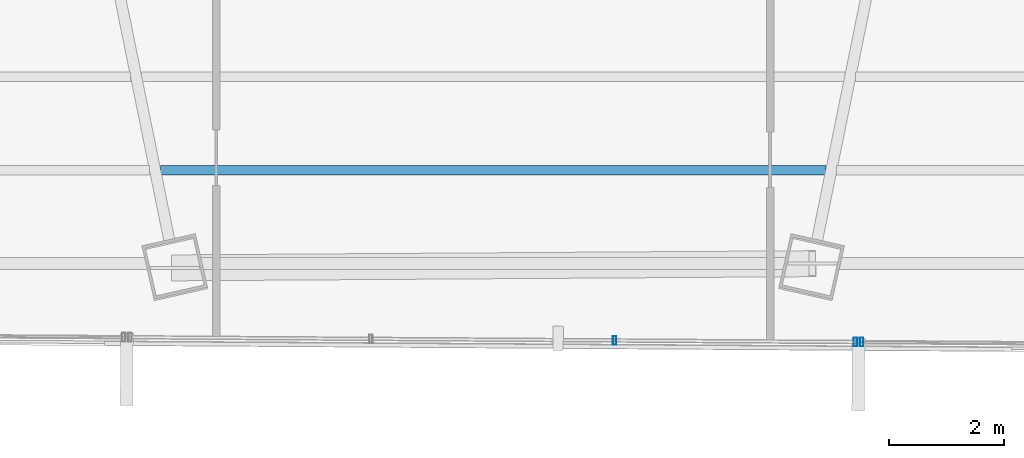
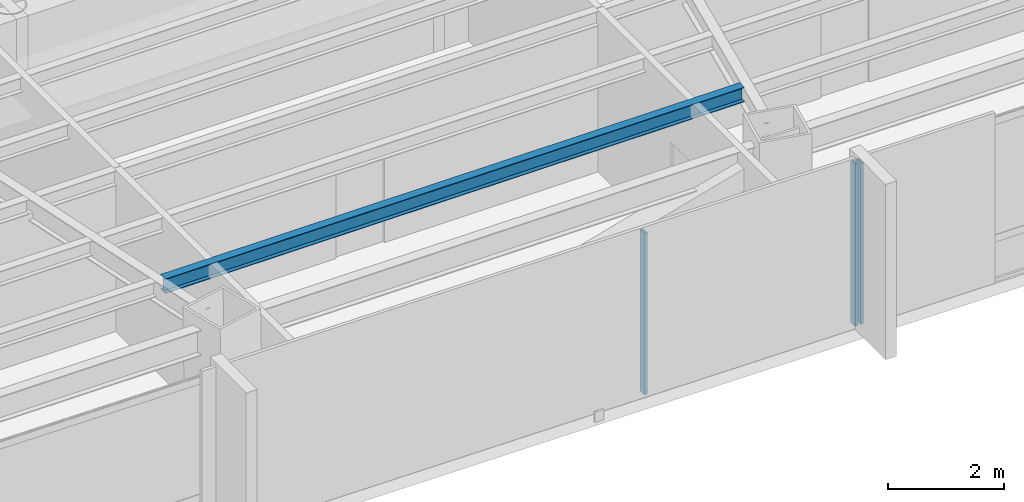
# One storey, part 10 of 41: 3 members, 1 beam, 2 elements without a shape of their own.
"""IFC4 building model written with IfcOpenShell, lengths in metres."""

from ifc_helpers import new_model, si_unit, direction, frame, origin, origin_2d, place, context, subcontext, project, spatial, hollow_rectangle, i_section, extrude, source, transform, mapped, material, material_profile, profile_set, type_object, type_shapes, element, aggregate, save


model = new_model("IFC4")

# Units and contexts
model_context = context("Model", 3, precision=1e-05, world=origin(), true_north=direction((0.0, 1.0)))
body_context = subcontext(model_context, "Body", "Model", "MODEL_VIEW")
ifc_project = project(units=[si_unit("LENGTHUNIT", "METRE"), si_unit("AREAUNIT", "SQUARE_METRE"), si_unit("VOLUMEUNIT", "CUBIC_METRE"), si_unit("PLANEANGLEUNIT", "RADIAN"), si_unit("MASSUNIT", "GRAM", prefix="KILO")], contexts=[model_context])

# Site, building, storey
site_placement = place(None, origin())
site = spatial("IfcSite", under=ifc_project, at=site_placement, CompositionType="ELEMENT")
building_placement = place(site_placement, origin())
building = spatial("IfcBuilding", under=site, at=building_placement, Name="Caelisora Broadcast Tower", CompositionType="ELEMENT")
storey_placement = place(building_placement, frame((0.0, 0.0, 169.449951171875)))
storey = spatial("IfcBuildingStorey", under=building, at=storey_placement, Name="L44", CompositionType="ELEMENT", Elevation=169.449951171875)

# Beam
ifc_material_1 = material(Name="Steel Grade 350 (AS/NZS 3679.1)", Category="steel")
ifc_material_profile_1 = material_profile(ifc_material_1, i_section(OverallWidth=0.166015625, OverallDepth=0.30712890625, WebThickness=0.006591796875, FlangeThickness=0.01171875, at=origin_2d()), Name="Steel Grade 350 (AS/NZS 3679.1)")
ifc_profile_set_1 = profile_set([ifc_material_profile_1], Name="Steel Grade 350 (AS/NZS 3679.1)")
beam_type = type_object("IfcBeamType", Name="SB03", PredefinedType="JOIST", material=ifc_profile_set_1)
shared_shape_1 = source(origin(), body_context, "Body", "SweptSolid", [
    extrude(i_section(OverallWidth=0.166015625, OverallDepth=0.30712890625, WebThickness=0.006591796875, FlangeThickness=0.01171875, at=origin_2d()), origin(), (0.0, 0.0, 1.0), 11.52880859375),
])
type_shapes(beam_type, [shared_shape_1])
beam_placement = place(storey_placement, frame((32.235595703125, 9.3017578125, 3.246337890625), z_axis=(1.0, 0.0, 0.0), x_axis=(0.0, 1.0, 0.0)))
element("IfcBeam", 1, at=beam_placement, inside=storey, type_object=beam_type, Name="L44 beam SB03", PredefinedType="JOIST", context=body_context, shape_type="MappedRepresentation", body=[
    mapped(shared_shape_1, transform((0.0, 0.0, 0.0), scale=1.0)),
])

# Curtain wall, member
ifc_material_2 = material(Name="Unitised Aluminium and Low-E Glass Curtain Wall", Category="glass")
curtain_wall_type_1 = type_object("IfcCurtainWallType", Name="CW-Z3", PredefinedType="NOTDEFINED", material=ifc_material_2)
curtain_wall_1_placement = place(storey_placement, origin())
curtain_wall_1 = element("IfcCurtainWall", 2, at=curtain_wall_1_placement, inside=storey, type_object=curtain_wall_type_1, Name="L44 curtain wall CW-Z3", PredefinedType="NOTDEFINED")
ifc_material_3 = material(Name="Aluminium 6063-T6 Anodised Terracotta Bronze", Category="aluminium")
ifc_material_profile_2 = material_profile(ifc_material_3, hollow_rectangle(XDim=0.06005859375, YDim=0.14990234375, WallThickness=0.00341796875, at=origin_2d()), Name="Aluminium 6063-T6 Anodised Terracotta Bronze")
ifc_profile_set_2 = profile_set([ifc_material_profile_2], Name="Aluminium 6063-T6 Anodised Terracotta Bronze")
member_type = type_object("IfcMemberType", Name="CWM-03", PredefinedType="MULLION", material=ifc_profile_set_2)
shared_shape_2 = source(origin(), body_context, "Body", "SweptSolid", [
    extrude(hollow_rectangle(XDim=0.06005859375, YDim=0.14990234375, WallThickness=0.00341796875, at=origin_2d()), origin(), (0.0, 0.0, 1.0), 3.400146484375),
])
type_shapes(member_type, [shared_shape_2])
member_1_placement = place(storey_placement, frame((44.385986328125, 6.323486328125, 0.0), z_axis=(0.0, 0.0, 1.0), x_axis=(1.0, 0.0, 0.0)))
member_1 = element("IfcMember", 3, at=member_1_placement, type_object=member_type, Name="L44-CW-B05 mullion #3", PredefinedType="MULLION", context=body_context, shape_type="MappedRepresentation", body=[
    mapped(shared_shape_2, transform((0.0, 0.0, 0.0), scale=1.0)),
])
aggregate(curtain_wall_1, [member_1])

# Curtain wall, members
ifc_material_4 = material(Name="Unitised Aluminium Insulated Shadow-Box Spandrel Curtain Wall", Category="aluminium")
curtain_wall_type_2 = type_object("IfcCurtainWallType", Name="CW-SP2", PredefinedType="NOTDEFINED", material=ifc_material_4)
curtain_wall_2_placement = place(storey_placement, origin())
curtain_wall_2 = element("IfcCurtainWall", 4, at=curtain_wall_2_placement, inside=storey, type_object=curtain_wall_type_2, Name="L44 curtain wall CW-SP2", PredefinedType="NOTDEFINED")
member_2_placement = place(storey_placement, frame((44.27587890625, 6.32421875, 0.0), z_axis=(0.0, 0.0, 1.0), x_axis=(1.0, 0.0, 0.0)))
member_2 = element("IfcMember", 5, at=member_2_placement, type_object=member_type, Name="L44-CW-B06 mullion #0", PredefinedType="MULLION", context=body_context, shape_type="MappedRepresentation", body=[
    mapped(shared_shape_2, transform((0.0, 0.0, 0.0), scale=1.0)),
])
member_3_placement = place(storey_placement, frame((40.103271484375, 6.3515625, 0.0), z_axis=(0.0, 0.0, 1.0), x_axis=(1.0, 0.0, 0.0)))
member_3 = element("IfcMember", 6, at=member_3_placement, type_object=member_type, Name="L44-CW-B06 mullion #1", PredefinedType="MULLION", context=body_context, shape_type="MappedRepresentation", body=[
    mapped(shared_shape_2, transform((0.0, 0.0, 0.0), scale=1.0)),
])
aggregate(curtain_wall_2, [member_2, member_3])

save(model, "model.ifc")
